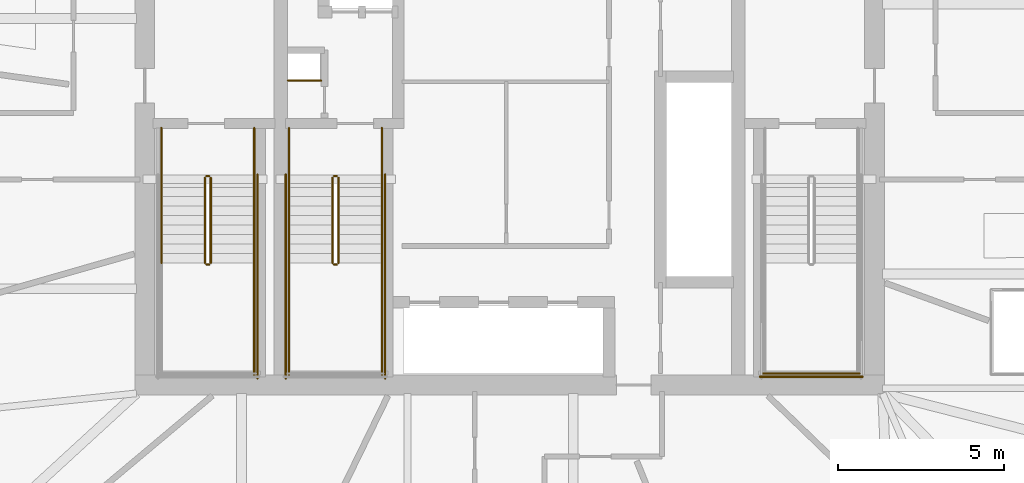
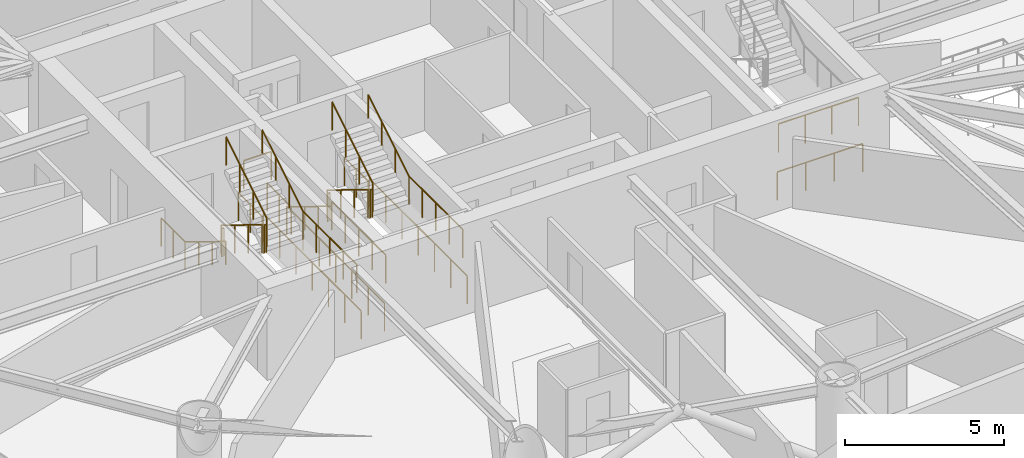
# One storey, part 22 of 24: 25 railings.
"""IFC4 building model written with IfcOpenShell, lengths in metres."""

from ifc_helpers import new_model, si_unit, direction, frame, origin, origin_2d, place, context, subcontext, project, spatial, circle, extrude, material, type_object, element, save


model = new_model("IFC4")

# Units and contexts
model_context = context("Model", 3, precision=1e-05, world=origin(), true_north=direction((0.0, 1.0)))
body_context = subcontext(model_context, "Body", "Model", "MODEL_VIEW")
ifc_project = project(units=[si_unit("LENGTHUNIT", "METRE"), si_unit("AREAUNIT", "SQUARE_METRE"), si_unit("VOLUMEUNIT", "CUBIC_METRE"), si_unit("PLANEANGLEUNIT", "RADIAN"), si_unit("MASSUNIT", "GRAM", prefix="KILO")], contexts=[model_context])

# Site, building, storey
site_placement = place(None, origin())
site = spatial("IfcSite", under=ifc_project, at=site_placement, CompositionType="ELEMENT")
building_placement = place(site_placement, origin())
building = spatial("IfcBuilding", under=site, at=building_placement, Name="Bramvorn Convention Spire", CompositionType="ELEMENT")
storey_placement = place(building_placement, frame((0.0, 0.0, 148.300048828125)))
storey = spatial("IfcBuildingStorey", under=building, at=storey_placement, Name="L37", CompositionType="ELEMENT", Elevation=148.300048828125)

# Railings
ifc_material_1 = material(Name="Painted Steel Balustrade & Guardrail", Category="steel")
railing_type_1 = type_object("IfcRailingType", Name="RL-STAIR-GUARD-1100", PredefinedType="GUARDRAIL", material=ifc_material_1)
railing_1_placement = place(storey_placement, frame((28.81005859375, 25.050048828125, 0.175048828125)))
element("IfcRailing", 1, at=railing_1_placement, inside=storey, type_object=railing_type_1, Name="L37 ST1 stair guard 1", PredefinedType="GUARDRAIL", context=body_context, shape_type="SweptSolid", body=[
    extrude(circle(Radius=0.02392578125, at=origin_2d()), frame((0.0, 0.0, 1.076171875), z_axis=(0.0, -0.852173129349, 0.523259933127), x_axis=(1.0, 0.0, 0.0)), (0.0, 0.0, 1.0), 3.009765625),
    extrude(circle(Radius=0.02099609375, at=origin_2d()), origin(), (0.0, 0.0, 1.0), 1.052001953125),
    extrude(circle(Radius=0.02099609375, at=origin_2d()), frame((0.0, -0.85498046875, 0.52490234375)), (0.0, 0.0, 1.0), 1.052001953125),
    extrude(circle(Radius=0.02099609375, at=origin_2d()), frame((0.0, -1.7099609375, 1.050048828125)), (0.0, 0.0, 1.0), 1.052001953125),
    extrude(circle(Radius=0.02099609375, at=origin_2d()), frame((0.0, -2.56494140625, 1.574951171875)), (0.0, 0.0, 1.0), 1.052001953125),
])
railing_2_placement = place(storey_placement, frame((28.860107421875, 22.43505859375, 1.75)))
element("IfcRailing", 2, at=railing_2_placement, inside=storey, type_object=railing_type_1, Name="L37 ST1 stair guard 2", PredefinedType="GUARDRAIL", context=body_context, shape_type="SweptSolid", body=[
    extrude(circle(Radius=0.02392578125, at=origin_2d()), frame((0.0, 0.0, 1.076171875), z_axis=(1.0, 0.0, 0.0), x_axis=(0.0, 1.0, 0.0)), (0.0, 0.0, 1.0), 0.079833984375),
    extrude(circle(Radius=0.02099609375, at=origin_2d()), origin(), (0.0, 0.0, 1.0), 1.052001953125),
    extrude(circle(Radius=0.02099609375, at=origin_2d()), frame((0.079833984375, 0.0, 0.0)), (0.0, 0.0, 1.0), 1.052001953125),
])
railing_3_placement = place(storey_placement, frame((30.300048828125, 22.485107421875, 1.75)))
element("IfcRailing", 3, at=railing_3_placement, inside=storey, type_object=railing_type_1, Name="L37 ST1 stair guard 4", PredefinedType="GUARDRAIL", context=body_context, shape_type="SweptSolid", body=[
    extrude(circle(Radius=0.02392578125, at=origin_2d()), frame((0.0, 0.0, 1.076171875), z_axis=(0.0, -1.0, 0.0), x_axis=(1.0, 0.0, 0.0)), (0.0, 0.0, 1.0), 3.385009765625),
    extrude(circle(Radius=0.02099609375, at=origin_2d()), origin(), (0.0, 0.0, 1.0), 1.052001953125),
    extrude(circle(Radius=0.02099609375, at=origin_2d()), frame((0.0, -0.84619140625, 0.0)), (0.0, 0.0, 1.0), 1.052001953125),
    extrude(circle(Radius=0.02099609375, at=origin_2d()), frame((0.0, -1.6923828125, 0.0)), (0.0, 0.0, 1.0), 1.052001953125),
    extrude(circle(Radius=0.02099609375, at=origin_2d()), frame((0.0, -2.538818359375, 0.0)), (0.0, 0.0, 1.0), 1.052001953125),
    extrude(circle(Radius=0.02099609375, at=origin_2d()), frame((0.0, -3.385009765625, 0.0)), (0.0, 0.0, 1.0), 1.052001953125),
])
railing_4_placement = place(storey_placement, frame((28.989990234375, 22.485107421875, 1.925048828125)))
element("IfcRailing", 4, at=railing_4_placement, inside=storey, type_object=railing_type_1, Name="L37 ST1 stair guard 6", PredefinedType="GUARDRAIL", context=body_context, shape_type="SweptSolid", body=[
    extrude(circle(Radius=0.02392578125, at=origin_2d()), frame((0.0, 0.0, 1.076171875), z_axis=(0.0, 0.852173129349, 0.523259933127), x_axis=(-1.0, 0.0, 0.0)), (0.0, 0.0, 1.0), 3.009765625),
    extrude(circle(Radius=0.02099609375, at=origin_2d()), origin(), (0.0, 0.0, 1.0), 1.052001953125),
    extrude(circle(Radius=0.02099609375, at=origin_2d()), frame((0.0, 0.85498046875, 0.52490234375)), (0.0, 0.0, 1.0), 1.052001953125),
    extrude(circle(Radius=0.02099609375, at=origin_2d()), frame((0.0, 1.7099609375, 1.050048828125)), (0.0, 0.0, 1.0), 1.052001953125),
    extrude(circle(Radius=0.02099609375, at=origin_2d()), frame((0.0, 2.56494140625, 1.574951171875)), (0.0, 0.0, 1.0), 1.052001953125),
])
railing_5_placement = place(storey_placement, frame((28.860107421875, 25.10009765625, 0.0)))
element("IfcRailing", 5, at=railing_5_placement, inside=storey, type_object=railing_type_1, Name="L37 ST1 stair guard 7", PredefinedType="GUARDRAIL", context=body_context, shape_type="SweptSolid", body=[
    extrude(circle(Radius=0.02392578125, at=origin_2d()), frame((0.0, 0.0, 1.076171875), z_axis=(1.0, 0.0, 0.0), x_axis=(0.0, 1.0, 0.0)), (0.0, 0.0, 1.0), 0.079833984375),
    extrude(circle(Radius=0.02099609375, at=origin_2d()), origin(), (0.0, 0.0, 1.0), 1.052001953125),
    extrude(circle(Radius=0.02099609375, at=origin_2d()), frame((0.079833984375, 0.0, 0.0)), (0.0, 0.0, 1.0), 1.052001953125),
])
for number, where, name in (
    (6, (27.5, 26.550048828125, 0.0), "L37 ST1 stair guard 8"),
    (7, (30.300048828125, 26.550048828125, 0.0), "L37 ST1 stair guard 9"),
):
    element("IfcRailing", number, at=place(storey_placement, frame(where)), inside=storey, type_object=railing_type_1, Name=name, PredefinedType="GUARDRAIL", context=body_context, shape_type="SweptSolid", body=[
        extrude(circle(Radius=0.02392578125, at=origin_2d()), frame((0.0, 0.0, 1.076171875), z_axis=(0.0, -1.0, 0.0), x_axis=(1.0, 0.0, 0.0)), (0.0, 0.0, 1.0), 1.5),
        extrude(circle(Radius=0.02099609375, at=origin_2d()), origin(), (0.0, 0.0, 1.0), 1.052001953125),
        extrude(circle(Radius=0.02099609375, at=origin_2d()), frame((0.0, -0.75, 0.0)), (0.0, 0.0, 1.0), 1.052001953125),
        extrude(circle(Radius=0.02099609375, at=origin_2d()), frame((0.0, -1.5, 0.0)), (0.0, 0.0, 1.0), 1.052001953125),
    ])
railing_6_placement = place(storey_placement, frame((30.39990234375, 25.14990234375, 0.0)))
element("IfcRailing", 8, at=railing_6_placement, inside=storey, type_object=railing_type_1, Name="L37 ST1 stair guard 11", PredefinedType="GUARDRAIL", context=body_context, shape_type="SweptSolid", body=[
    extrude(circle(Radius=0.02392578125, at=origin_2d()), frame((0.0, 0.0, 1.076171875), z_axis=(0.0, -1.0, 0.0), x_axis=(1.0, 0.0, 0.0)), (0.0, 0.0, 1.0), 6.14990234375),
    extrude(circle(Radius=0.02099609375, at=origin_2d()), origin(), (0.0, 0.0, 1.0), 1.052001953125),
    extrude(circle(Radius=0.02099609375, at=origin_2d()), frame((0.0, -1.02490234375, 0.0)), (0.0, 0.0, 1.0), 1.052001953125),
    extrude(circle(Radius=0.02099609375, at=origin_2d()), frame((0.0, -2.050048828125, 0.0)), (0.0, 0.0, 1.0), 1.052001953125),
    extrude(circle(Radius=0.02099609375, at=origin_2d()), frame((0.0, -3.074951171875, 0.0)), (0.0, 0.0, 1.0), 1.052001953125),
    extrude(circle(Radius=0.02099609375, at=origin_2d()), frame((0.0, -4.099853515625, 0.0)), (0.0, 0.0, 1.0), 1.052001953125),
    extrude(circle(Radius=0.02099609375, at=origin_2d()), frame((0.0, -5.125, 0.0)), (0.0, 0.0, 1.0), 1.052001953125),
    extrude(circle(Radius=0.02099609375, at=origin_2d()), frame((0.0, -6.14990234375, 0.0)), (0.0, 0.0, 1.0), 1.052001953125),
])
railing_7_placement = place(storey_placement, frame((45.64990234375, 19.14990234375, 1.75)))
element("IfcRailing", 9, at=railing_7_placement, inside=storey, type_object=railing_type_1, Name="L37 ST2 stair guard 5", PredefinedType="GUARDRAIL", context=body_context, shape_type="SweptSolid", body=[
    extrude(circle(Radius=0.02392578125, at=origin_2d()), frame((0.0, 0.0, 1.076171875), z_axis=(1.0, 0.0, 0.0), x_axis=(0.0, 1.0, 0.0)), (0.0, 0.0, 1.0), 2.900146484375),
    extrude(circle(Radius=0.02099609375, at=origin_2d()), origin(), (0.0, 0.0, 1.0), 1.052001953125),
    extrude(circle(Radius=0.02099609375, at=origin_2d()), frame((0.966796875, 0.0, 0.0)), (0.0, 0.0, 1.0), 1.052001953125),
    extrude(circle(Radius=0.02099609375, at=origin_2d()), frame((1.933349609375, 0.0, 0.0)), (0.0, 0.0, 1.0), 1.052001953125),
    extrude(circle(Radius=0.02099609375, at=origin_2d()), frame((2.900146484375, 0.0, 0.0)), (0.0, 0.0, 1.0), 1.052001953125),
])
railing_8_placement = place(storey_placement, frame((45.550048828125, 19.050048828125, 0.0)))
element("IfcRailing", 10, at=railing_8_placement, inside=storey, type_object=railing_type_1, Name="L37 ST2 stair guard 12", PredefinedType="GUARDRAIL", context=body_context, shape_type="SweptSolid", body=[
    extrude(circle(Radius=0.02392578125, at=origin_2d()), frame((0.0, 0.0, 1.076171875), z_axis=(1.0, 0.0, 0.0), x_axis=(0.0, 1.0, 0.0)), (0.0, 0.0, 1.0), 3.099853515625),
    extrude(circle(Radius=0.02099609375, at=origin_2d()), origin(), (0.0, 0.0, 1.0), 1.052001953125),
    extrude(circle(Radius=0.02099609375, at=origin_2d()), frame((1.033203125, 0.0, 0.0)), (0.0, 0.0, 1.0), 1.052001953125),
    extrude(circle(Radius=0.02099609375, at=origin_2d()), frame((2.066650390625, 0.0, 0.0)), (0.0, 0.0, 1.0), 1.052001953125),
    extrude(circle(Radius=0.02099609375, at=origin_2d()), frame((3.099853515625, 0.0, 0.0)), (0.0, 0.0, 1.0), 1.052001953125),
])
railing_9_placement = place(storey_placement, frame((32.659912109375, 25.050048828125, 0.175048828125)))
element("IfcRailing", 11, at=railing_9_placement, inside=storey, type_object=railing_type_1, Name="L37 ST3 stair guard 1", PredefinedType="GUARDRAIL", context=body_context, shape_type="SweptSolid", body=[
    extrude(circle(Radius=0.02392578125, at=origin_2d()), frame((0.0, 0.0, 1.076171875), z_axis=(0.0, -0.852173129349, 0.523259933127), x_axis=(1.0, 0.0, 0.0)), (0.0, 0.0, 1.0), 3.009765625),
    extrude(circle(Radius=0.02099609375, at=origin_2d()), origin(), (0.0, 0.0, 1.0), 1.052001953125),
    extrude(circle(Radius=0.02099609375, at=origin_2d()), frame((0.0, -0.85498046875, 0.52490234375)), (0.0, 0.0, 1.0), 1.052001953125),
    extrude(circle(Radius=0.02099609375, at=origin_2d()), frame((0.0, -1.7099609375, 1.050048828125)), (0.0, 0.0, 1.0), 1.052001953125),
    extrude(circle(Radius=0.02099609375, at=origin_2d()), frame((0.0, -2.56494140625, 1.574951171875)), (0.0, 0.0, 1.0), 1.052001953125),
])
railing_10_placement = place(storey_placement, frame((32.7099609375, 22.43505859375, 1.75)))
element("IfcRailing", 12, at=railing_10_placement, inside=storey, type_object=railing_type_1, Name="L37 ST3 stair guard 2", PredefinedType="GUARDRAIL", context=body_context, shape_type="SweptSolid", body=[
    extrude(circle(Radius=0.02392578125, at=origin_2d()), frame((0.0, 0.0, 1.076171875), z_axis=(1.0, 0.0, 0.0), x_axis=(0.0, 1.0, 0.0)), (0.0, 0.0, 1.0), 0.080078125),
    extrude(circle(Radius=0.02099609375, at=origin_2d()), origin(), (0.0, 0.0, 1.0), 1.052001953125),
    extrude(circle(Radius=0.02099609375, at=origin_2d()), frame((0.080078125, 0.0, 0.0)), (0.0, 0.0, 1.0), 1.052001953125),
])
for number, where, name in (
    (13, (31.35009765625, 22.485107421875, 1.75), "L37 ST3 stair guard 3"),
    (14, (34.14990234375, 22.485107421875, 1.75), "L37 ST3 stair guard 4"),
):
    element("IfcRailing", number, at=place(storey_placement, frame(where)), inside=storey, type_object=railing_type_1, Name=name, PredefinedType="GUARDRAIL", context=body_context, shape_type="SweptSolid", body=[
        extrude(circle(Radius=0.02392578125, at=origin_2d()), frame((0.0, 0.0, 1.076171875), z_axis=(0.0, -1.0, 0.0), x_axis=(1.0, 0.0, 0.0)), (0.0, 0.0, 1.0), 3.385009765625),
        extrude(circle(Radius=0.02099609375, at=origin_2d()), origin(), (0.0, 0.0, 1.0), 1.052001953125),
        extrude(circle(Radius=0.02099609375, at=origin_2d()), frame((0.0, -0.84619140625, 0.0)), (0.0, 0.0, 1.0), 1.052001953125),
        extrude(circle(Radius=0.02099609375, at=origin_2d()), frame((0.0, -1.6923828125, 0.0)), (0.0, 0.0, 1.0), 1.052001953125),
        extrude(circle(Radius=0.02099609375, at=origin_2d()), frame((0.0, -2.538818359375, 0.0)), (0.0, 0.0, 1.0), 1.052001953125),
        extrude(circle(Radius=0.02099609375, at=origin_2d()), frame((0.0, -3.385009765625, 0.0)), (0.0, 0.0, 1.0), 1.052001953125),
    ])
railing_11_placement = place(storey_placement, frame((32.840087890625, 22.485107421875, 1.925048828125)))
element("IfcRailing", 15, at=railing_11_placement, inside=storey, type_object=railing_type_1, Name="L37 ST3 stair guard 6", PredefinedType="GUARDRAIL", context=body_context, shape_type="SweptSolid", body=[
    extrude(circle(Radius=0.02392578125, at=origin_2d()), frame((0.0, 0.0, 1.076171875), z_axis=(0.0, 0.852173129349, 0.523259933127), x_axis=(-1.0, 0.0, 0.0)), (0.0, 0.0, 1.0), 3.009765625),
    extrude(circle(Radius=0.02099609375, at=origin_2d()), origin(), (0.0, 0.0, 1.0), 1.052001953125),
    extrude(circle(Radius=0.02099609375, at=origin_2d()), frame((0.0, 0.85498046875, 0.52490234375)), (0.0, 0.0, 1.0), 1.052001953125),
    extrude(circle(Radius=0.02099609375, at=origin_2d()), frame((0.0, 1.7099609375, 1.050048828125)), (0.0, 0.0, 1.0), 1.052001953125),
    extrude(circle(Radius=0.02099609375, at=origin_2d()), frame((0.0, 2.56494140625, 1.574951171875)), (0.0, 0.0, 1.0), 1.052001953125),
])
railing_12_placement = place(storey_placement, frame((32.7099609375, 25.10009765625, 0.0)))
element("IfcRailing", 16, at=railing_12_placement, inside=storey, type_object=railing_type_1, Name="L37 ST3 stair guard 7", PredefinedType="GUARDRAIL", context=body_context, shape_type="SweptSolid", body=[
    extrude(circle(Radius=0.02392578125, at=origin_2d()), frame((0.0, 0.0, 1.076171875), z_axis=(1.0, 0.0, 0.0), x_axis=(0.0, 1.0, 0.0)), (0.0, 0.0, 1.0), 0.080078125),
    extrude(circle(Radius=0.02099609375, at=origin_2d()), origin(), (0.0, 0.0, 1.0), 1.052001953125),
    extrude(circle(Radius=0.02099609375, at=origin_2d()), frame((0.080078125, 0.0, 0.0)), (0.0, 0.0, 1.0), 1.052001953125),
])
for number, where, name in (
    (17, (31.35009765625, 26.550048828125, 0.0), "L37 ST3 stair guard 8"),
    (18, (34.14990234375, 26.550048828125, 0.0), "L37 ST3 stair guard 9"),
):
    element("IfcRailing", number, at=place(storey_placement, frame(where)), inside=storey, type_object=railing_type_1, Name=name, PredefinedType="GUARDRAIL", context=body_context, shape_type="SweptSolid", body=[
        extrude(circle(Radius=0.02392578125, at=origin_2d()), frame((0.0, 0.0, 1.076171875), z_axis=(0.0, -1.0, 0.0), x_axis=(1.0, 0.0, 0.0)), (0.0, 0.0, 1.0), 1.5),
        extrude(circle(Radius=0.02099609375, at=origin_2d()), origin(), (0.0, 0.0, 1.0), 1.052001953125),
        extrude(circle(Radius=0.02099609375, at=origin_2d()), frame((0.0, -0.75, 0.0)), (0.0, 0.0, 1.0), 1.052001953125),
        extrude(circle(Radius=0.02099609375, at=origin_2d()), frame((0.0, -1.5, 0.0)), (0.0, 0.0, 1.0), 1.052001953125),
    ])
for number, where, name in (
    (19, (31.25, 25.14990234375, 0.0), "L37 ST3 stair guard 10"),
    (20, (34.25, 25.14990234375, 0.0), "L37 ST3 stair guard 11"),
):
    element("IfcRailing", number, at=place(storey_placement, frame(where)), inside=storey, type_object=railing_type_1, Name=name, PredefinedType="GUARDRAIL", context=body_context, shape_type="SweptSolid", body=[
        extrude(circle(Radius=0.02392578125, at=origin_2d()), frame((0.0, 0.0, 1.076171875), z_axis=(0.0, -1.0, 0.0), x_axis=(1.0, 0.0, 0.0)), (0.0, 0.0, 1.0), 6.14990234375),
        extrude(circle(Radius=0.02099609375, at=origin_2d()), origin(), (0.0, 0.0, 1.0), 1.052001953125),
        extrude(circle(Radius=0.02099609375, at=origin_2d()), frame((0.0, -1.02490234375, 0.0)), (0.0, 0.0, 1.0), 1.052001953125),
        extrude(circle(Radius=0.02099609375, at=origin_2d()), frame((0.0, -2.050048828125, 0.0)), (0.0, 0.0, 1.0), 1.052001953125),
        extrude(circle(Radius=0.02099609375, at=origin_2d()), frame((0.0, -3.074951171875, 0.0)), (0.0, 0.0, 1.0), 1.052001953125),
        extrude(circle(Radius=0.02099609375, at=origin_2d()), frame((0.0, -4.099853515625, 0.0)), (0.0, 0.0, 1.0), 1.052001953125),
        extrude(circle(Radius=0.02099609375, at=origin_2d()), frame((0.0, -5.125, 0.0)), (0.0, 0.0, 1.0), 1.052001953125),
        extrude(circle(Radius=0.02099609375, at=origin_2d()), frame((0.0, -6.14990234375, 0.0)), (0.0, 0.0, 1.0), 1.052001953125),
    ])
railing_13_placement = place(storey_placement, frame((31.320068359375, 27.97998046875, 0.0)))
element("IfcRailing", 21, at=railing_13_placement, inside=storey, type_object=railing_type_1, Name="L37 Telecom riser shaft opening safety guardrail", PredefinedType="GUARDRAIL", context=body_context, shape_type="SweptSolid", body=[
    extrude(circle(Radius=0.02392578125, at=origin_2d()), frame((0.0, 0.0, 1.076171875), z_axis=(1.0, 0.0, 0.0), x_axis=(0.0, 1.0, 0.0)), (0.0, 0.0, 1.0), 1.0),
    extrude(circle(Radius=0.02099609375, at=origin_2d()), origin(), (0.0, 0.0, 1.0), 1.052001953125),
    extrude(circle(Radius=0.02099609375, at=origin_2d()), frame((1.0, 0.0, 0.0)), (0.0, 0.0, 1.0), 1.052001953125),
])
ifc_material_2 = material(Name="Brushed Bronze Tubular Handrail", Category="aluminium")
railing_type_2 = type_object("IfcRailingType", Name="RL-STAIR-HR-920", PredefinedType="HANDRAIL", material=ifc_material_2)
railing_14_placement = place(storey_placement, frame((27.5, 25.050048828125, 0.175048828125)))
element("IfcRailing", 22, at=railing_14_placement, inside=storey, type_object=railing_type_2, Name="L37 ST1 stair handrail 1", PredefinedType="HANDRAIL", context=body_context, shape_type="SweptSolid", body=[
    extrude(circle(Radius=0.02392578125, at=origin_2d()), frame((0.0, 0.0, 0.89599609375), z_axis=(0.0, -0.852173129349, 0.523259933127), x_axis=(1.0, 0.0, 0.0)), (0.0, 0.0, 1.0), 3.009765625),
    extrude(circle(Radius=0.02099609375, at=origin_2d()), origin(), (0.0, 0.0, 1.0), 0.871826171875),
    extrude(circle(Radius=0.02099609375, at=origin_2d()), frame((0.0, -0.85498046875, 0.52490234375)), (0.0, 0.0, 1.0), 0.871826171875),
    extrude(circle(Radius=0.02099609375, at=origin_2d()), frame((0.0, -1.7099609375, 1.050048828125)), (0.0, 0.0, 1.0), 0.871826171875),
    extrude(circle(Radius=0.02099609375, at=origin_2d()), frame((0.0, -2.56494140625, 1.574951171875)), (0.0, 0.0, 1.0), 0.871826171875),
])
railing_15_placement = place(storey_placement, frame((30.300048828125, 22.485107421875, 1.925048828125)))
element("IfcRailing", 23, at=railing_15_placement, inside=storey, type_object=railing_type_2, Name="L37 ST1 stair handrail 2", PredefinedType="HANDRAIL", context=body_context, shape_type="SweptSolid", body=[
    extrude(circle(Radius=0.02392578125, at=origin_2d()), frame((0.0, 0.0, 0.89599609375), z_axis=(0.0, 0.852173129349, 0.523259933127), x_axis=(-1.0, 0.0, 0.0)), (0.0, 0.0, 1.0), 3.009765625),
    extrude(circle(Radius=0.02099609375, at=origin_2d()), origin(), (0.0, 0.0, 1.0), 0.871826171875),
    extrude(circle(Radius=0.02099609375, at=origin_2d()), frame((0.0, 0.85498046875, 0.52490234375)), (0.0, 0.0, 1.0), 0.871826171875),
    extrude(circle(Radius=0.02099609375, at=origin_2d()), frame((0.0, 1.7099609375, 1.050048828125)), (0.0, 0.0, 1.0), 0.871826171875),
    extrude(circle(Radius=0.02099609375, at=origin_2d()), frame((0.0, 2.56494140625, 1.574951171875)), (0.0, 0.0, 1.0), 0.871826171875),
])
railing_16_placement = place(storey_placement, frame((31.35009765625, 25.050048828125, 0.175048828125)))
element("IfcRailing", 24, at=railing_16_placement, inside=storey, type_object=railing_type_2, Name="L37 ST3 stair handrail 1", PredefinedType="HANDRAIL", context=body_context, shape_type="SweptSolid", body=[
    extrude(circle(Radius=0.02392578125, at=origin_2d()), frame((0.0, 0.0, 0.89599609375), z_axis=(0.0, -0.852173129349, 0.523259933127), x_axis=(1.0, 0.0, 0.0)), (0.0, 0.0, 1.0), 3.009765625),
    extrude(circle(Radius=0.02099609375, at=origin_2d()), origin(), (0.0, 0.0, 1.0), 0.871826171875),
    extrude(circle(Radius=0.02099609375, at=origin_2d()), frame((0.0, -0.85498046875, 0.52490234375)), (0.0, 0.0, 1.0), 0.871826171875),
    extrude(circle(Radius=0.02099609375, at=origin_2d()), frame((0.0, -1.7099609375, 1.050048828125)), (0.0, 0.0, 1.0), 0.871826171875),
    extrude(circle(Radius=0.02099609375, at=origin_2d()), frame((0.0, -2.56494140625, 1.574951171875)), (0.0, 0.0, 1.0), 0.871826171875),
])
railing_17_placement = place(storey_placement, frame((34.14990234375, 22.485107421875, 1.925048828125)))
element("IfcRailing", 25, at=railing_17_placement, inside=storey, type_object=railing_type_2, Name="L37 ST3 stair handrail 2", PredefinedType="HANDRAIL", context=body_context, shape_type="SweptSolid", body=[
    extrude(circle(Radius=0.02392578125, at=origin_2d()), frame((0.0, 0.0, 0.89599609375), z_axis=(0.0, 0.852173129349, 0.523259933127), x_axis=(-1.0, 0.0, 0.0)), (0.0, 0.0, 1.0), 3.009765625),
    extrude(circle(Radius=0.02099609375, at=origin_2d()), origin(), (0.0, 0.0, 1.0), 0.871826171875),
    extrude(circle(Radius=0.02099609375, at=origin_2d()), frame((0.0, 0.85498046875, 0.52490234375)), (0.0, 0.0, 1.0), 0.871826171875),
    extrude(circle(Radius=0.02099609375, at=origin_2d()), frame((0.0, 1.7099609375, 1.050048828125)), (0.0, 0.0, 1.0), 0.871826171875),
    extrude(circle(Radius=0.02099609375, at=origin_2d()), frame((0.0, 2.56494140625, 1.574951171875)), (0.0, 0.0, 1.0), 0.871826171875),
])

save(model, "model.ifc")
